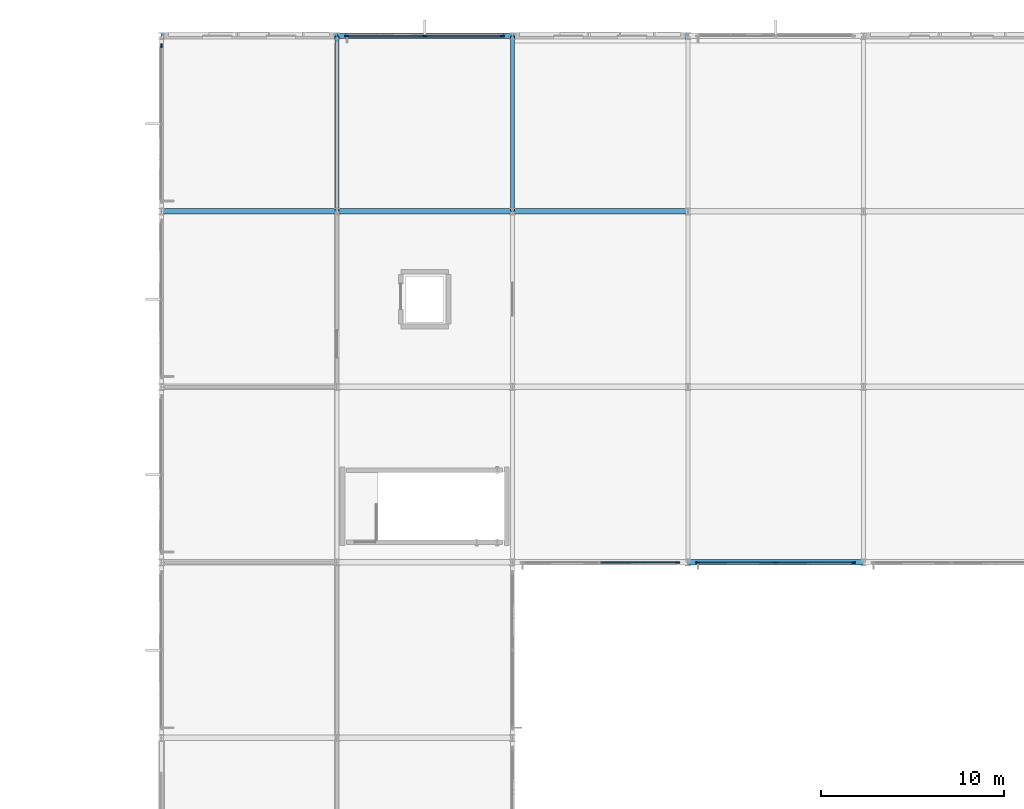
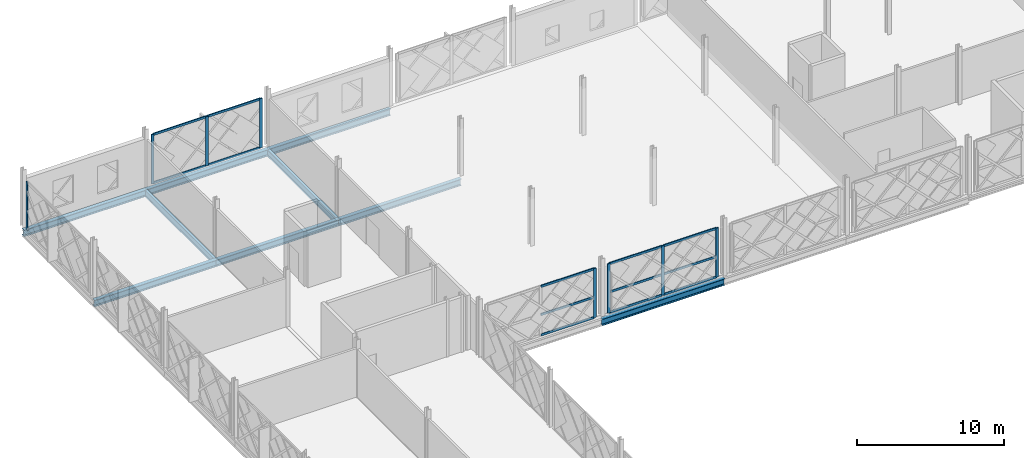
# One storey, part 28 of 77: 21 members, 9 beams, 4 elements without a shape of their own.
"""IFC4 building model written with IfcOpenShell, lengths in metres."""

from ifc_helpers import new_model, si_unit, direction, frame, origin, origin_2d, place, context, subcontext, project, spatial, rectangle, i_section, extrude, material, layer, layer_set, material_profile, profile_set, type_object, element, aggregate, save


model = new_model("IFC4")

# Units and contexts
model_context = context("Model", 3, precision=1e-05, world=origin(), true_north=direction((0.0, 1.0)))
body_context = subcontext(model_context, "Body", "Model", "MODEL_VIEW")
ifc_project = project(units=[si_unit("LENGTHUNIT", "METRE"), si_unit("AREAUNIT", "SQUARE_METRE"), si_unit("VOLUMEUNIT", "CUBIC_METRE"), si_unit("PLANEANGLEUNIT", "RADIAN"), si_unit("MASSUNIT", "GRAM", prefix="KILO")], contexts=[model_context])

# Site, building, storey
site_placement = place(None, origin())
site = spatial("IfcSite", under=ifc_project, at=site_placement, CompositionType="ELEMENT")
building_placement = place(site_placement, origin())
building = spatial("IfcBuilding", under=site, at=building_placement, Name="Zevrakil Square Congress Hotel", CompositionType="ELEMENT")
storey_placement = place(building_placement, frame((0.0, 0.0, 9.89990234375)))
storey = spatial("IfcBuildingStorey", under=building, at=storey_placement, Name="L03", CompositionType="ELEMENT", Elevation=9.89990234375)

# Beams
ifc_material_1 = material(Name="Steel S355", Category="steel")
ifc_material_profile_1 = material_profile(ifc_material_1, i_section(OverallWidth=0.300048828125, OverallDepth=0.5400390625, WebThickness=0.012451171875, FlangeThickness=0.02392578125, FilletRadius=0.027099609375, at=origin_2d()), Name="HEA 550")
ifc_profile_set_1 = profile_set([ifc_material_profile_1], Name="Steel S355")
beam_type_1 = type_object("IfcBeamType", Name="BM-HEA550", PredefinedType="BEAM", material=ifc_profile_set_1)
beam_1_placement = place(storey_placement, frame((74.39990234375, 84.0, -0.52978515625), z_axis=(1.0, 0.0, 0.0), x_axis=(0.0, 1.0, 0.0)))
element("IfcBeam", 1, at=beam_1_placement, inside=storey, type_object=beam_type_1, Name="L03 primary girder BX-1051", PredefinedType="BEAM", context=body_context, shape_type="SweptSolid", body=[
    extrude(i_section(OverallWidth=0.300048828125, OverallDepth=0.5400390625, WebThickness=0.012451171875, FlangeThickness=0.02392578125, FilletRadius=0.027099609375, at=origin_2d()), origin(), (0.0, 0.0, 1.0), 9.60009765625),
])
beam_2_placement = place(storey_placement, frame((45.60009765625, 103.199951171875, -0.52978515625), z_axis=(1.0, 0.0, 0.0), x_axis=(0.0, 1.0, 0.0)))
element("IfcBeam", 2, at=beam_2_placement, inside=storey, type_object=beam_type_1, Name="L03 primary girder BX-1064", PredefinedType="BEAM", context=body_context, shape_type="SweptSolid", body=[
    extrude(i_section(OverallWidth=0.300048828125, OverallDepth=0.5400390625, WebThickness=0.012451171875, FlangeThickness=0.02392578125, FilletRadius=0.027099609375, at=origin_2d()), origin(), (0.0, 0.0, 1.0), 9.599853515625),
])
beam_3_placement = place(storey_placement, frame((55.199951171875, 103.199951171875, -0.52978515625), z_axis=(1.0, 0.0, 0.0), x_axis=(0.0, 1.0, 0.0)))
element("IfcBeam", 3, at=beam_3_placement, inside=storey, type_object=beam_type_1, Name="L03 primary girder BX-1065", PredefinedType="BEAM", context=body_context, shape_type="SweptSolid", body=[
    extrude(i_section(OverallWidth=0.300048828125, OverallDepth=0.5400390625, WebThickness=0.012451171875, FlangeThickness=0.02392578125, FilletRadius=0.027099609375, at=origin_2d()), origin(), (0.0, 0.0, 1.0), 9.60009765625),
])
for number, where, z_axis, x_axis, name in (
    (4, (64.800048828125, 103.199951171875, -0.52978515625), (1.0, 0.0, 0.0), (0.0, 1.0, 0.0), "L03 primary girder BX-1066"),
    (5, (45.60009765625, 112.800048828125, -0.52978515625), (1.0, 0.0, 0.0), (0.0, 1.0, 0.0), "L03 primary girder BX-1072"),
):
    element("IfcBeam", number, at=place(storey_placement, frame(where, z_axis=z_axis, x_axis=x_axis)), inside=storey, type_object=beam_type_1, Name=name, PredefinedType="BEAM", context=body_context, shape_type="SweptSolid", body=[
        extrude(i_section(OverallWidth=0.300048828125, OverallDepth=0.5400390625, WebThickness=0.012451171875, FlangeThickness=0.02392578125, FilletRadius=0.027099609375, at=origin_2d()), origin(), (0.0, 0.0, 1.0), 9.599853515625),
    ])
beam_4_placement = place(storey_placement, frame((55.199951171875, 112.800048828125, -0.52978515625), z_axis=(1.0, 0.0, 0.0), x_axis=(0.0, 1.0, 0.0)))
element("IfcBeam", 6, at=beam_4_placement, inside=storey, type_object=beam_type_1, Name="L03 primary girder BX-1073", PredefinedType="BEAM", context=body_context, shape_type="SweptSolid", body=[
    extrude(i_section(OverallWidth=0.300048828125, OverallDepth=0.5400390625, WebThickness=0.012451171875, FlangeThickness=0.02392578125, FilletRadius=0.027099609375, at=origin_2d()), origin(), (0.0, 0.0, 1.0), 9.60009765625),
])
beam_5_placement = place(storey_placement, frame((64.800048828125, 112.800048828125, -0.52978515625), z_axis=(1.0, 0.0, 0.0), x_axis=(0.0, 1.0, 0.0)))
element("IfcBeam", 7, at=beam_5_placement, inside=storey, type_object=beam_type_1, Name="L03 primary girder BX-1074", PredefinedType="BEAM", context=body_context, shape_type="SweptSolid", body=[
    extrude(i_section(OverallWidth=0.300048828125, OverallDepth=0.5400390625, WebThickness=0.012451171875, FlangeThickness=0.02392578125, FilletRadius=0.027099609375, at=origin_2d()), origin(), (0.0, 0.0, 1.0), 9.599853515625),
])
ifc_material_2 = material(Name="Steel S355", Category="steel")
ifc_material_profile_2 = material_profile(ifc_material_2, i_section(OverallWidth=0.2099609375, OverallDepth=0.550048828125, WebThickness=0.010986328125, FlangeThickness=0.01708984375, FilletRadius=0.02392578125, at=origin_2d()), Name="IPE 550")
ifc_profile_set_2 = profile_set([ifc_material_profile_2], Name="Steel S355")
beam_type_2 = type_object("IfcBeamType", Name="BM-IPE550", PredefinedType="BEAM", material=ifc_profile_set_2)
for number, where, z_axis, x_axis, name in (
    (8, (55.199951171875, 103.199951171875, -0.534912109375), (0.0, 1.0, 0.0), (-1.0, 0.0, 0.0), "L03 primary girder BY-1110"),
    (9, (64.800048828125, 103.199951171875, -0.534912109375), (0.0, 1.0, 0.0), (-1.0, 0.0, 0.0), "L03 primary girder BY-1121"),
):
    element("IfcBeam", number, at=place(storey_placement, frame(where, z_axis=z_axis, x_axis=x_axis)), inside=storey, type_object=beam_type_2, Name=name, PredefinedType="BEAM", context=body_context, shape_type="SweptSolid", body=[
        extrude(i_section(OverallWidth=0.2099609375, OverallDepth=0.550048828125, WebThickness=0.010986328125, FlangeThickness=0.01708984375, FilletRadius=0.02392578125, at=origin_2d()), origin(), (0.0, 0.0, 1.0), 9.60009765625),
    ])

# Curtain wall, members
ifc_material_3 = material(Name="Aluminium Anodised Bronze", Category="aluminium")
ifc_layer = layer(ifc_material_3, 0.179931640625)
ifc_layer_set = layer_set([ifc_layer], Name="Aluminium Anodised Bronze")
curtain_wall_type = type_object("IfcCurtainWallType", Name="CW-L03-840", PredefinedType="USERDEFINED", material=ifc_layer_set)
curtain_wall_1_placement = place(storey_placement, origin())
curtain_wall_1 = element("IfcCurtainWall", 10, at=curtain_wall_1_placement, inside=storey, type_object=curtain_wall_type, Name="L03 diamond curtain wall CW-L03-0037", ObjectType="GLAZED CURTAIN WALL", PredefinedType="USERDEFINED")
ifc_material_4 = material(Name="Aluminium Anodised Bronze", Category="aluminium")
ifc_material_profile_3 = material_profile(ifc_material_4, rectangle(XDim=0.0849609375, YDim=0.179931640625, at=origin_2d()), Name="ALU 85x180")
ifc_profile_set_3 = profile_set([ifc_material_profile_3], Name="Aluminium Anodised Bronze")
member_type_1 = type_object("IfcMemberType", Name="CWM-ALU85x180", PredefinedType="USERDEFINED", material=ifc_profile_set_3)
member_1_placement = place(storey_placement, frame((55.780029296875, 112.800048828125, 0.030029296875), z_axis=(1.0, 0.0, 0.0), x_axis=(0.0, 1.0, 0.0)))
member_1 = element("IfcMember", 11, at=member_1_placement, type_object=member_type_1, Name="CW-35 transom 1.1", ObjectType="TRANSOM", PredefinedType="USERDEFINED", context=body_context, shape_type="SweptSolid", body=[
    extrude(rectangle(XDim=0.0849609375, YDim=0.179931640625, at=origin_2d()), origin(), (0.0, 0.0, 1.0), 4.18994140625),
])
member_2_placement = place(storey_placement, frame((55.780029296875, 112.800048828125, 4.05517578125), z_axis=(1.0, 0.0, 0.0), x_axis=(0.0, 1.0, 0.0)))
member_2 = element("IfcMember", 12, at=member_2_placement, type_object=member_type_1, Name="CW-35 transom 1.2", ObjectType="TRANSOM", PredefinedType="USERDEFINED", context=body_context, shape_type="SweptSolid", body=[
    extrude(rectangle(XDim=0.0849609375, YDim=0.179931640625, at=origin_2d()), origin(), (0.0, 0.0, 1.0), 4.18994140625),
])
member_3_placement = place(storey_placement, frame((60.030029296875, 112.800048828125, 0.030029296875), z_axis=(1.0, 0.0, 0.0), x_axis=(0.0, 1.0, 0.0)))
member_3 = element("IfcMember", 13, at=member_3_placement, type_object=member_type_1, Name="CW-35 transom 2.1", ObjectType="TRANSOM", PredefinedType="USERDEFINED", context=body_context, shape_type="SweptSolid", body=[
    extrude(rectangle(XDim=0.0849609375, YDim=0.179931640625, at=origin_2d()), origin(), (0.0, 0.0, 1.0), 4.18994140625),
])
member_4_placement = place(storey_placement, frame((60.030029296875, 112.800048828125, 4.05517578125), z_axis=(1.0, 0.0, 0.0), x_axis=(0.0, 1.0, 0.0)))
member_4 = element("IfcMember", 14, at=member_4_placement, type_object=member_type_1, Name="CW-35 transom 2.2", ObjectType="TRANSOM", PredefinedType="USERDEFINED", context=body_context, shape_type="SweptSolid", body=[
    extrude(rectangle(XDim=0.0849609375, YDim=0.179931640625, at=origin_2d()), origin(), (0.0, 0.0, 1.0), 4.18994140625),
])

curtain_wall_2_placement = place(storey_placement, origin())
curtain_wall_2 = element("IfcCurtainWall", 15, at=curtain_wall_2_placement, inside=storey, type_object=curtain_wall_type, Name="L03 diamond curtain wall CW-L03-0102", ObjectType="GLAZED CURTAIN WALL", PredefinedType="USERDEFINED")
member_5_placement = place(storey_placement, frame((69.6298828125, 84.0, 0.030029296875), z_axis=(1.0, 0.0, 0.0), x_axis=(0.0, 1.0, 0.0)))
member_5 = element("IfcMember", 16, at=member_5_placement, type_object=member_type_1, Name="CW-35 transom 2.1", ObjectType="TRANSOM", PredefinedType="USERDEFINED", context=body_context, shape_type="SweptSolid", body=[
    extrude(rectangle(XDim=0.0849609375, YDim=0.179931640625, at=origin_2d()), origin(), (0.0, 0.0, 1.0), 4.190185546875),
])
member_6_placement = place(storey_placement, frame((69.6298828125, 84.0, 1.7158203125), z_axis=(1.0, 0.0, 0.0), x_axis=(0.0, 1.0, 0.0)))
member_6 = element("IfcMember", 17, at=member_6_placement, type_object=member_type_1, Name="CW-35 transom 2.2", ObjectType="TRANSOM", PredefinedType="USERDEFINED", context=body_context, shape_type="SweptSolid", body=[
    extrude(rectangle(XDim=0.0849609375, YDim=0.179931640625, at=origin_2d()), origin(), (0.0, 0.0, 1.0), 4.190185546875),
])
member_7_placement = place(storey_placement, frame((69.6298828125, 84.0, 4.05517578125), z_axis=(1.0, 0.0, 0.0), x_axis=(0.0, 1.0, 0.0)))
member_7 = element("IfcMember", 18, at=member_7_placement, type_object=member_type_1, Name="CW-35 transom 2.3", ObjectType="TRANSOM", PredefinedType="USERDEFINED", context=body_context, shape_type="SweptSolid", body=[
    extrude(rectangle(XDim=0.0849609375, YDim=0.179931640625, at=origin_2d()), origin(), (0.0, 0.0, 1.0), 4.190185546875),
])

curtain_wall_3_placement = place(storey_placement, origin())
curtain_wall_3 = element("IfcCurtainWall", 19, at=curtain_wall_3_placement, inside=storey, type_object=curtain_wall_type, Name="L03 diamond curtain wall CW-L03-0106", ObjectType="GLAZED CURTAIN WALL", PredefinedType="USERDEFINED")
member_8_placement = place(storey_placement, frame((74.97998046875, 84.0, 0.030029296875), z_axis=(1.0, 0.0, 0.0), x_axis=(0.0, 1.0, 0.0)))
member_8 = element("IfcMember", 20, at=member_8_placement, type_object=member_type_1, Name="CW-35 transom 1.1", ObjectType="TRANSOM", PredefinedType="USERDEFINED", context=body_context, shape_type="SweptSolid", body=[
    extrude(rectangle(XDim=0.0849609375, YDim=0.179931640625, at=origin_2d()), origin(), (0.0, 0.0, 1.0), 4.18994140625),
])
member_9_placement = place(storey_placement, frame((74.97998046875, 84.0, 1.7158203125), z_axis=(1.0, 0.0, 0.0), x_axis=(0.0, 1.0, 0.0)))
member_9 = element("IfcMember", 21, at=member_9_placement, type_object=member_type_1, Name="CW-35 transom 1.2", ObjectType="TRANSOM", PredefinedType="USERDEFINED", context=body_context, shape_type="SweptSolid", body=[
    extrude(rectangle(XDim=0.0849609375, YDim=0.179931640625, at=origin_2d()), origin(), (0.0, 0.0, 1.0), 4.18994140625),
])
member_10_placement = place(storey_placement, frame((74.97998046875, 84.0, 4.05517578125), z_axis=(1.0, 0.0, 0.0), x_axis=(0.0, 1.0, 0.0)))
member_10 = element("IfcMember", 22, at=member_10_placement, type_object=member_type_1, Name="CW-35 transom 1.3", ObjectType="TRANSOM", PredefinedType="USERDEFINED", context=body_context, shape_type="SweptSolid", body=[
    extrude(rectangle(XDim=0.0849609375, YDim=0.179931640625, at=origin_2d()), origin(), (0.0, 0.0, 1.0), 4.18994140625),
])
member_11_placement = place(storey_placement, frame((79.22998046875, 84.0, 0.030029296875), z_axis=(1.0, 0.0, 0.0), x_axis=(0.0, 1.0, 0.0)))
member_11 = element("IfcMember", 23, at=member_11_placement, type_object=member_type_1, Name="CW-35 transom 2.1", ObjectType="TRANSOM", PredefinedType="USERDEFINED", context=body_context, shape_type="SweptSolid", body=[
    extrude(rectangle(XDim=0.0849609375, YDim=0.179931640625, at=origin_2d()), origin(), (0.0, 0.0, 1.0), 4.18994140625),
])
member_12_placement = place(storey_placement, frame((79.22998046875, 84.0, 1.7158203125), z_axis=(1.0, 0.0, 0.0), x_axis=(0.0, 1.0, 0.0)))
member_12 = element("IfcMember", 24, at=member_12_placement, type_object=member_type_1, Name="CW-35 transom 2.2", ObjectType="TRANSOM", PredefinedType="USERDEFINED", context=body_context, shape_type="SweptSolid", body=[
    extrude(rectangle(XDim=0.0849609375, YDim=0.179931640625, at=origin_2d()), origin(), (0.0, 0.0, 1.0), 4.18994140625),
])
member_13_placement = place(storey_placement, frame((79.22998046875, 84.0, 4.05517578125), z_axis=(1.0, 0.0, 0.0), x_axis=(0.0, 1.0, 0.0)))
member_13 = element("IfcMember", 25, at=member_13_placement, type_object=member_type_1, Name="CW-35 transom 2.3", ObjectType="TRANSOM", PredefinedType="USERDEFINED", context=body_context, shape_type="SweptSolid", body=[
    extrude(rectangle(XDim=0.0849609375, YDim=0.179931640625, at=origin_2d()), origin(), (0.0, 0.0, 1.0), 4.18994140625),
])

# Curtain wall, member
curtain_wall_4_placement = place(storey_placement, origin())
curtain_wall_4 = element("IfcCurtainWall", 26, at=curtain_wall_4_placement, inside=storey, type_object=curtain_wall_type, Name="L03 diamond curtain wall CW-L03-0031", ObjectType="GLAZED CURTAIN WALL", PredefinedType="USERDEFINED")
ifc_material_5 = material(Name="Aluminium Anodised Bronze", Category="aluminium")
ifc_material_profile_4 = material_profile(ifc_material_5, rectangle(XDim=0.0849609375, YDim=0.219970703125, at=origin_2d()), Name="ALU 85x220")
ifc_profile_set_4 = profile_set([ifc_material_profile_4], Name="Aluminium Anodised Bronze")
member_type_2 = type_object("IfcMemberType", Name="CWM-ALU85x220", PredefinedType="MULLION", material=ifc_profile_set_4)
member_14_placement = place(storey_placement, frame((45.60009765625, 112.25, 0.0), z_axis=(0.0, 0.0, 1.0), x_axis=(-1.0, 0.0, 0.0)))
member_14 = element("IfcMember", 27, at=member_14_placement, type_object=member_type_2, Name="CW-35 mullion 3", PredefinedType="MULLION", context=body_context, shape_type="SweptSolid", body=[
    extrude(rectangle(XDim=0.0849609375, YDim=0.219970703125, at=origin_2d()), origin(), (0.0, 0.0, 1.0), 4.025146484375),
])
aggregate(curtain_wall_4, [member_14])

# Member
member_15_placement = place(storey_placement, frame((55.75, 112.800048828125, 0.0), z_axis=(0.0, 0.0, 1.0), x_axis=(0.0, 1.0, 0.0)))
member_15 = element("IfcMember", 28, at=member_15_placement, type_object=member_type_2, Name="CW-35 mullion 1", PredefinedType="MULLION", context=body_context, shape_type="SweptSolid", body=[
    extrude(rectangle(XDim=0.0849609375, YDim=0.219970703125, at=origin_2d()), origin(), (0.0, 0.0, 1.0), 4.085205078125),
])

member_16_placement = place(storey_placement, frame((60.0, 112.800048828125, 0.0), z_axis=(0.0, 0.0, 1.0), x_axis=(0.0, 1.0, 0.0)))
member_16 = element("IfcMember", 29, at=member_16_placement, type_object=member_type_2, Name="CW-35 mullion 2", PredefinedType="MULLION", context=body_context, shape_type="SweptSolid", body=[
    extrude(rectangle(XDim=0.0849609375, YDim=0.219970703125, at=origin_2d()), origin(), (0.0, 0.0, 1.0), 4.085205078125),
])

member_17_placement = place(storey_placement, frame((64.25, 112.800048828125, 0.0), z_axis=(0.0, 0.0, 1.0), x_axis=(0.0, 1.0, 0.0)))
member_17 = element("IfcMember", 30, at=member_17_placement, type_object=member_type_2, Name="CW-35 mullion 3", PredefinedType="MULLION", context=body_context, shape_type="SweptSolid", body=[
    extrude(rectangle(XDim=0.0849609375, YDim=0.219970703125, at=origin_2d()), origin(), (0.0, 0.0, 1.0), 4.085205078125),
])

aggregate(curtain_wall_1, [member_15, member_16, member_17, member_1, member_2, member_3, member_4])

member_18_placement = place(storey_placement, frame((73.85009765625, 84.0, 0.0), z_axis=(0.0, 0.0, 1.0), x_axis=(0.0, 1.0, 0.0)))
member_18 = element("IfcMember", 31, at=member_18_placement, type_object=member_type_2, Name="CW-35 mullion 3", PredefinedType="MULLION", context=body_context, shape_type="SweptSolid", body=[
    extrude(rectangle(XDim=0.0849609375, YDim=0.219970703125, at=origin_2d()), origin(), (0.0, 0.0, 1.0), 4.085205078125),
])

aggregate(curtain_wall_2, [member_18, member_5, member_6, member_7])

member_19_placement = place(storey_placement, frame((74.949951171875, 84.0, 0.0), z_axis=(0.0, 0.0, 1.0), x_axis=(0.0, 1.0, 0.0)))
member_19 = element("IfcMember", 32, at=member_19_placement, type_object=member_type_2, Name="CW-35 mullion 1", PredefinedType="MULLION", context=body_context, shape_type="SweptSolid", body=[
    extrude(rectangle(XDim=0.0849609375, YDim=0.219970703125, at=origin_2d()), origin(), (0.0, 0.0, 1.0), 4.085205078125),
])

member_20_placement = place(storey_placement, frame((79.199951171875, 84.0, 0.0), z_axis=(0.0, 0.0, 1.0), x_axis=(0.0, 1.0, 0.0)))
member_20 = element("IfcMember", 33, at=member_20_placement, type_object=member_type_2, Name="CW-35 mullion 2", PredefinedType="MULLION", context=body_context, shape_type="SweptSolid", body=[
    extrude(rectangle(XDim=0.0849609375, YDim=0.219970703125, at=origin_2d()), origin(), (0.0, 0.0, 1.0), 4.085205078125),
])

member_21_placement = place(storey_placement, frame((83.449951171875, 84.0, 0.0), z_axis=(0.0, 0.0, 1.0), x_axis=(0.0, 1.0, 0.0)))
member_21 = element("IfcMember", 34, at=member_21_placement, type_object=member_type_2, Name="CW-35 mullion 3", PredefinedType="MULLION", context=body_context, shape_type="SweptSolid", body=[
    extrude(rectangle(XDim=0.0849609375, YDim=0.219970703125, at=origin_2d()), origin(), (0.0, 0.0, 1.0), 4.085205078125),
])

aggregate(curtain_wall_3, [member_19, member_20, member_21, member_8, member_9, member_10, member_11, member_12, member_13])

save(model, "model.ifc")
